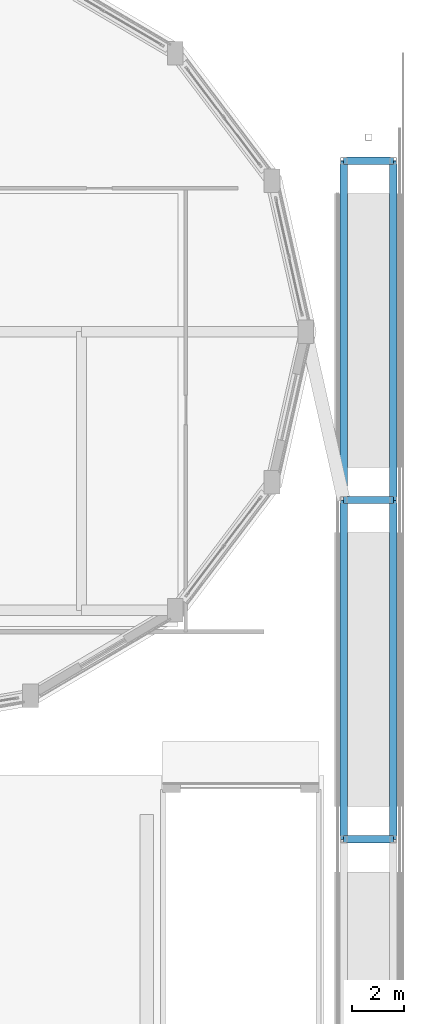
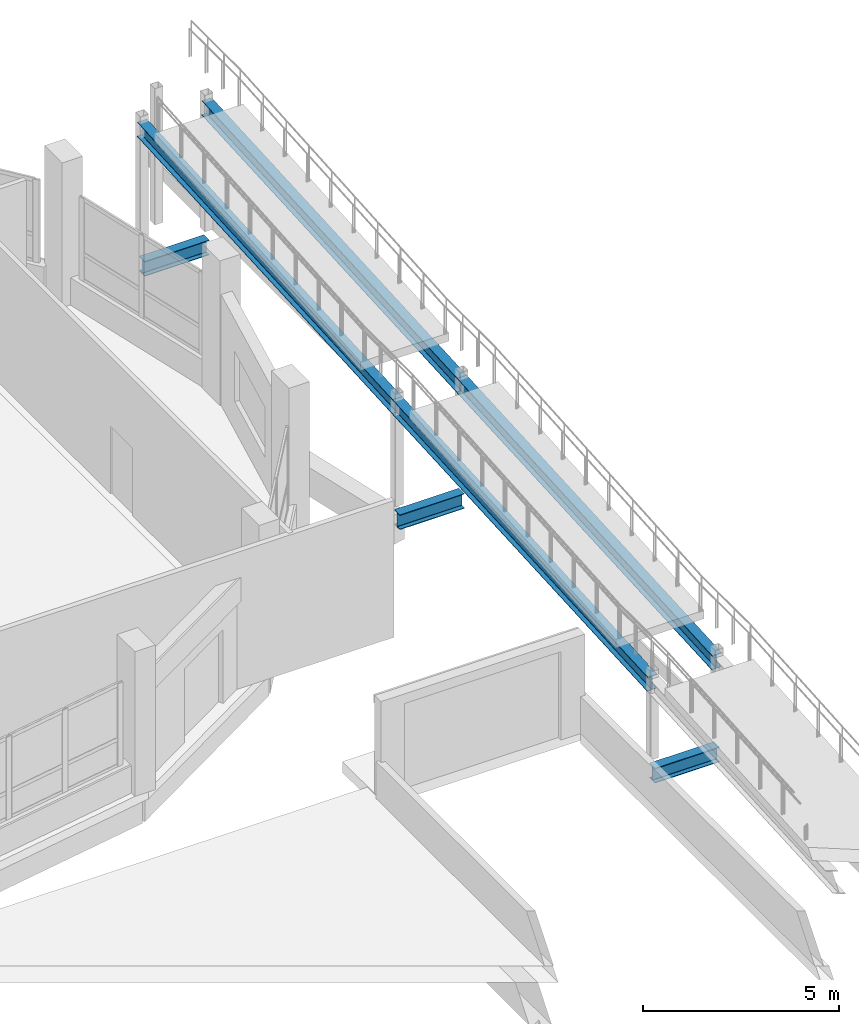
# One storey, part 95 of 129: 7 beams.
"""IFC4 building model written with IfcOpenShell, lengths in metres."""

from ifc_helpers import new_model, si_unit, direction, frame, origin, origin_2d, place, context, subcontext, project, spatial, i_section, extrude, material, material_profile, profile_set, type_object, element, save


model = new_model("IFC4")

# Units and contexts
model_context = context("Model", 3, precision=1e-05, world=origin(), true_north=direction((0.0, 1.0)))
body_context = subcontext(model_context, "Body", "Model", "MODEL_VIEW")
ifc_project = project(units=[si_unit("LENGTHUNIT", "METRE"), si_unit("AREAUNIT", "SQUARE_METRE"), si_unit("VOLUMEUNIT", "CUBIC_METRE"), si_unit("PLANEANGLEUNIT", "RADIAN"), si_unit("MASSUNIT", "GRAM", prefix="KILO")], contexts=[model_context])

# Site, building, storey
site_placement = place(None, origin())
site = spatial("IfcSite", under=ifc_project, at=site_placement, CompositionType="ELEMENT")
building_placement = place(site_placement, origin())
building = spatial("IfcBuilding", under=site, at=building_placement, Name="Vespera Passage Community Centre", CompositionType="ELEMENT")
storey_placement = place(building_placement, origin())
storey = spatial("IfcBuildingStorey", under=building, at=storey_placement, Name="L00", CompositionType="ELEMENT", Elevation=0.0)

# Beams
ifc_material = material(Name="Steel ASTM A992 Grade 50", Category="steel")
ifc_material_profile = material_profile(ifc_material, i_section(OverallWidth=0.280517578125, OverallDepth=0.46240234375, WebThickness=0.0107421875, FlangeThickness=0.017333984375, FilletRadius=0.01025390625, at=origin_2d()), Name="W18X76")
ifc_profile_set = profile_set([ifc_material_profile], Name="Steel ASTM A992 Grade 50")
beam_type = type_object("IfcBeamType", Name="BM-RB-W18X76E", PredefinedType="SPANDREL", material=ifc_profile_set)
for number, where, z_axis, x_axis, name in (
    (1, (161.550048828125, 70.050048828125, -0.52001953125), (1.0, 0.0, 0.0), (0.0, 1.0, 0.0), "Bridge Pier Grade Tie 5"),
    (2, (161.550048828125, 83.050048828125, -0.52001953125), (1.0, 0.0, 0.0), (0.0, 1.0, 0.0), "Bridge Pier Grade Tie 6"),
    (3, (161.550048828125, 96.050048828125, -0.52001953125), (1.0, 0.0, 0.0), (0.0, 1.0, 0.0), "Bridge Pier Grade Tie 7"),
):
    element("IfcBeam", number, at=place(storey_placement, frame(where, z_axis=z_axis, x_axis=x_axis)), inside=storey, type_object=beam_type, Name=name, PredefinedType="SPANDREL", context=body_context, shape_type="SweptSolid", body=[
        extrude(i_section(OverallWidth=0.280517578125, OverallDepth=0.46240234375, WebThickness=0.0107421875, FlangeThickness=0.017333984375, FilletRadius=0.01025390625, at=origin_2d()), origin(), (0.0, 0.0, 1.0), 1.89990234375),
    ])
for number, where, z_axis, x_axis, name in (
    (4, (161.550048828125, 70.050048828125, 2.288818359375), (0.0, 0.998339941676, 0.057596535097), (-1.0, 0.0, 0.0), "Bridge Raker 5.1"),
    (5, (163.449951171875, 70.050048828125, 2.288818359375), (0.0, 0.998339941676, 0.057596535097), (-1.0, 0.0, 0.0), "Bridge Raker 5.2"),
    (6, (161.550048828125, 83.050048828125, 3.038818359375), (0.0, 0.998339941676, 0.057596535097), (-1.0, 0.0, 0.0), "Bridge Raker 6.1"),
    (7, (163.449951171875, 83.050048828125, 3.038818359375), (0.0, 0.998339941676, 0.057596535097), (-1.0, 0.0, 0.0), "Bridge Raker 6.2"),
):
    element("IfcBeam", number, at=place(storey_placement, frame(where, z_axis=z_axis, x_axis=x_axis)), inside=storey, type_object=beam_type, Name=name, PredefinedType="SPANDREL", context=body_context, shape_type="SweptSolid", body=[
        extrude(i_section(OverallWidth=0.280517578125, OverallDepth=0.46240234375, WebThickness=0.0107421875, FlangeThickness=0.017333984375, FilletRadius=0.01025390625, at=origin_2d()), origin(), (0.0, 0.0, 1.0), 13.021728515625),
    ])

save(model, "model.ifc")
